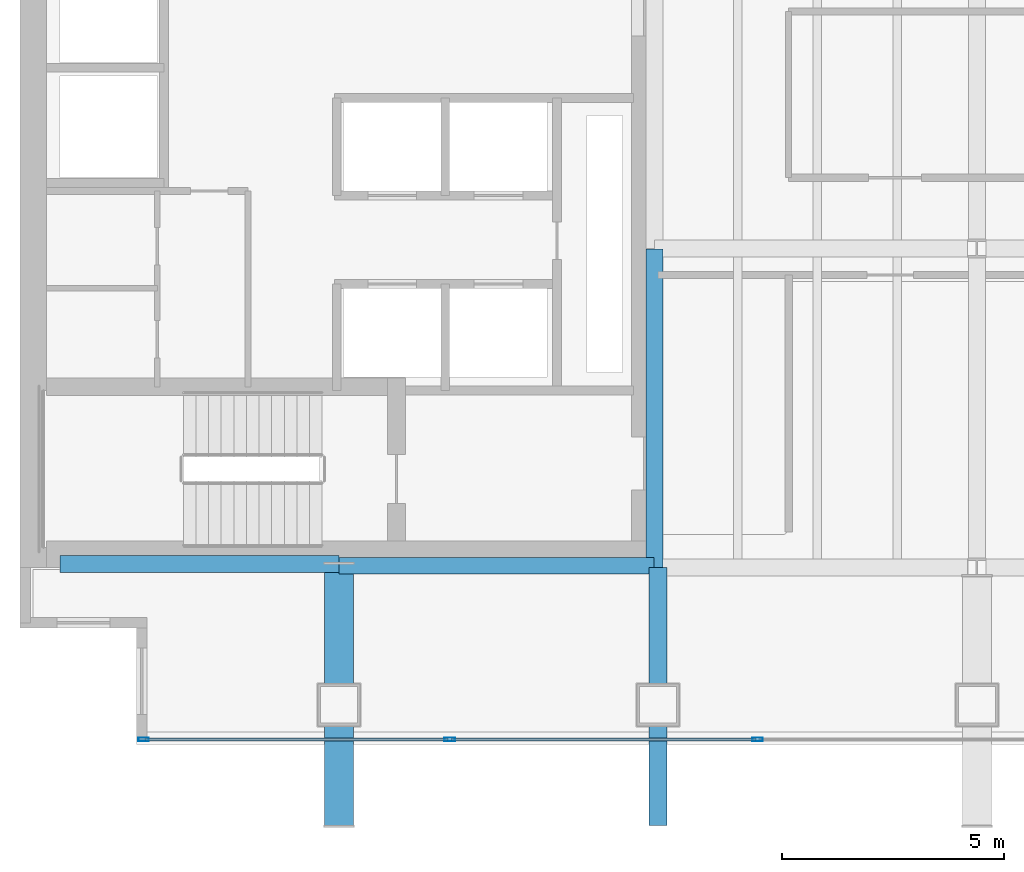
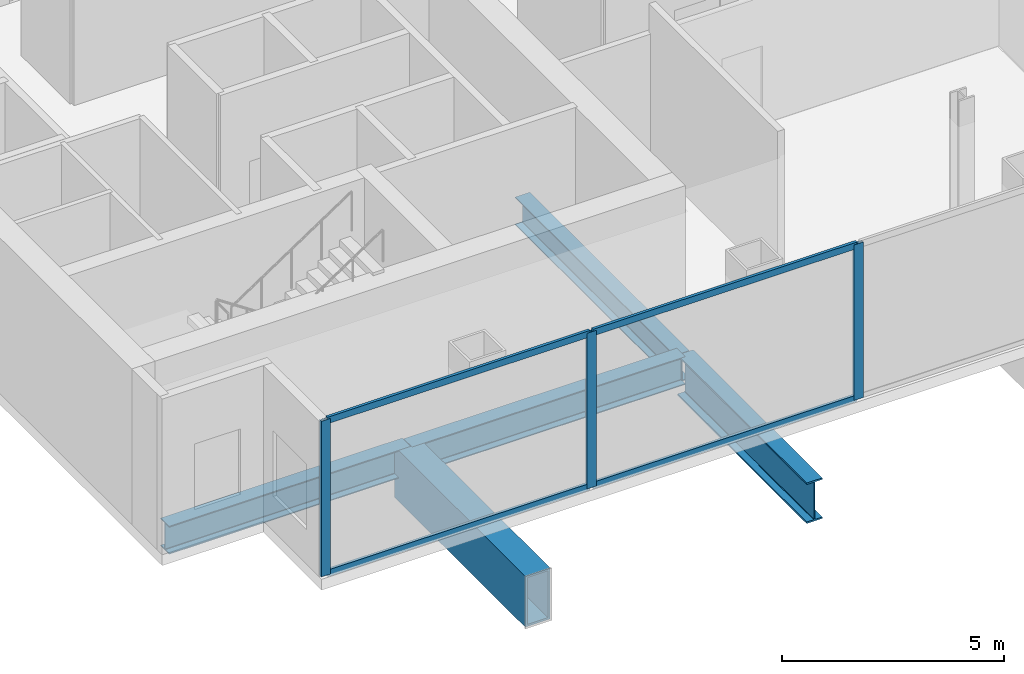
# One storey, part 2 of 16: 7 members, 5 beams, 1 element without a shape of its own.
"""IFC4 building model written with IfcOpenShell, lengths in metres."""

from ifc_helpers import new_model, si_unit, direction, frame, origin, origin_2d, place, context, subcontext, project, spatial, hollow_rectangle, i_section, extrude, material, material_profile, profile_set, type_object, element, aggregate, save


model = new_model("IFC4")

# Units and contexts
model_context = context("Model", 3, precision=1e-05, world=origin(), true_north=direction((0.0, 1.0)))
body_context = subcontext(model_context, "Body", "Model", "MODEL_VIEW")
ifc_project = project(units=[si_unit("LENGTHUNIT", "METRE"), si_unit("AREAUNIT", "SQUARE_METRE"), si_unit("VOLUMEUNIT", "CUBIC_METRE"), si_unit("PLANEANGLEUNIT", "RADIAN"), si_unit("MASSUNIT", "GRAM", prefix="KILO")], contexts=[model_context])

# Site, building, storey
site_placement = place(None, origin())
site = spatial("IfcSite", under=ifc_project, at=site_placement, CompositionType="ELEMENT")
building_placement = place(site_placement, origin())
building = spatial("IfcBuilding", under=site, at=building_placement, Name="Cobrela Telecom Tower", CompositionType="ELEMENT")
storey_placement = place(building_placement, frame((0.0, 0.0, 97.64990234375)))
storey = spatial("IfcBuildingStorey", under=building, at=storey_placement, Name="L24", CompositionType="ELEMENT", Elevation=97.64990234375)

# Beams
ifc_material_1 = material(Name="Steel ASTM A992 Grade 50", Category="steel")
ifc_material_profile_1 = material_profile(ifc_material_1, i_section(OverallWidth=0.381103515625, OverallDepth=0.77197265625, WebThickness=0.0166015625, FlangeThickness=0.027099609375, FilletRadius=0.01904296875, at=origin_2d()), Name="W30X173")
ifc_profile_set_1 = profile_set([ifc_material_profile_1], Name="Steel ASTM A992 Grade 50")
beam_type_1 = type_object("IfcBeamType", Name="BM-GIRD-04", PredefinedType="USERDEFINED", material=ifc_profile_set_1)
beam_1_placement = place(storey_placement, frame((0.905029296875, 7.280029296875, -0.685791015625), z_axis=(1.0, 0.0, 0.0), x_axis=(0.0, 1.0, 0.0)))
element("IfcBeam", 1, at=beam_1_placement, inside=storey, type_object=beam_type_1, Name="L24 Primary Girder X01", ObjectType="GIRDER", PredefinedType="USERDEFINED", context=body_context, shape_type="SweptSolid", body=[
    extrude(i_section(OverallWidth=0.381103515625, OverallDepth=0.77197265625, WebThickness=0.0166015625, FlangeThickness=0.027099609375, FilletRadius=0.01904296875, at=origin_2d()), origin(), (0.0, 0.0, 1.0), 6.2900390625),
])
beam_2_placement = place(storey_placement, frame((7.205078125, 7.239990234375, -0.685791015625), z_axis=(1.0, 0.0, 0.0), x_axis=(0.0, 1.0, 0.0)))
element("IfcBeam", 2, at=beam_2_placement, inside=storey, type_object=beam_type_1, Name="L24 Primary Girder X02", ObjectType="GIRDER", PredefinedType="USERDEFINED", context=body_context, shape_type="SweptSolid", body=[
    extrude(i_section(OverallWidth=0.381103515625, OverallDepth=0.77197265625, WebThickness=0.0166015625, FlangeThickness=0.027099609375, FilletRadius=0.01904296875, at=origin_2d()), origin(), (0.0, 0.0, 1.0), 7.10986328125),
])
beam_3_placement = place(storey_placement, frame((14.320068359375, 7.205078125, -0.685791015625), z_axis=(0.0, 1.0, 0.0), x_axis=(-1.0, 0.0, 0.0)))
element("IfcBeam", 3, at=beam_3_placement, inside=storey, type_object=beam_type_1, Name="L24 Primary Girder Y22", ObjectType="GIRDER", PredefinedType="USERDEFINED", context=body_context, shape_type="SweptSolid", body=[
    extrude(i_section(OverallWidth=0.381103515625, OverallDepth=0.77197265625, WebThickness=0.0166015625, FlangeThickness=0.027099609375, FilletRadius=0.01904296875, at=origin_2d()), origin(), (0.0, 0.0, 1.0), 7.18994140625),
])
ifc_material_2 = material(Name="Steel ASTM A572 Grade 50", Category="steel")
ifc_material_profile_2 = material_profile(ifc_material_2, hollow_rectangle(XDim=0.64990234375, YDim=1.39990234375, WallThickness=0.054931640625, at=origin_2d()), Name="BOX 1400x650x55")
ifc_profile_set_2 = profile_set([ifc_material_profile_2], Name="Steel ASTM A572 Grade 50")
beam_type_2 = type_object("IfcBeamType", Name="BM-TRG-1400", PredefinedType="USERDEFINED", material=ifc_profile_set_2)
beam_4_placement = place(storey_placement, frame((7.199951171875, 1.3798828125, -1.0), z_axis=(0.0, 1.0, 0.0), x_axis=(-1.0, 0.0, 0.0)))
element("IfcBeam", 4, at=beam_4_placement, inside=storey, type_object=beam_type_2, Name="L24 Transfer Girder 01", ObjectType="GIRDER", PredefinedType="USERDEFINED", context=body_context, shape_type="SweptSolid", body=[
    extrude(hollow_rectangle(XDim=0.64990234375, YDim=1.39990234375, WallThickness=0.054931640625, at=origin_2d()), origin(), (0.0, 0.0, 1.0), 5.89501953125),
])
ifc_material_profile_3 = material_profile(ifc_material_1, i_section(OverallWidth=0.404052734375, OverallDepth=1.117919921875, WebThickness=0.02587890625, FlangeThickness=0.044921875, FilletRadius=0.02490234375, at=origin_2d()), Name="W44X335")
ifc_profile_set_3 = profile_set([ifc_material_profile_3], Name="Steel ASTM A992 Grade 50")
beam_type_3 = type_object("IfcBeamType", Name="BM-TRG-W44", PredefinedType="USERDEFINED", material=ifc_profile_set_3)
beam_5_placement = place(storey_placement, frame((14.39990234375, 1.3798828125, -0.85888671875), z_axis=(0.0, 1.0, 0.0), x_axis=(-1.0, 0.0, 0.0)))
element("IfcBeam", 5, at=beam_5_placement, inside=storey, type_object=beam_type_3, Name="L24 Transfer Girder 02", ObjectType="GIRDER", PredefinedType="USERDEFINED", context=body_context, shape_type="SweptSolid", body=[
    extrude(i_section(OverallWidth=0.404052734375, OverallDepth=1.117919921875, WebThickness=0.02587890625, FlangeThickness=0.044921875, FilletRadius=0.02490234375, at=origin_2d()), origin(), (0.0, 0.0, 1.0), 5.815185546875),
])

# Curtain wall, members
ifc_material_3 = material(Name="Anodized Bronze Aluminium 6063-T6", Category="aluminium")
curtain_wall_type = type_object("IfcCurtainWallType", Name="CW-SYS-SKY", PredefinedType="USERDEFINED", material=ifc_material_3)
curtain_wall_placement = place(storey_placement, origin())
curtain_wall = element("IfcCurtainWall", 6, at=curtain_wall_placement, inside=storey, type_object=curtain_wall_type, Name="L24 Unitised Bronze Curtain Wall 17", ObjectType="UNITISED CURTAIN WALL", PredefinedType="USERDEFINED")
ifc_material_profile_4 = material_profile(ifc_material_3, hollow_rectangle(XDim=0.080078125, YDim=0.239990234375, WallThickness=0.0048828125, at=origin_2d()), Name="ALU 80x240x5")
ifc_profile_set_4 = profile_set([ifc_material_profile_4], Name="Anodized Bronze Aluminium 6063-T6")
member_type_1 = type_object("IfcMemberType", Name="CW-SYS-SKY-MUL", PredefinedType="MULLION", material=ifc_profile_set_4)
member_1_placement = place(storey_placement, frame((16.64990234375, 3.320068359375, 0.0), z_axis=(0.0, 0.0, 1.0), x_axis=(0.0, -1.0, 0.0)))
member_1 = element("IfcMember", 7, at=member_1_placement, type_object=member_type_1, Name="CW-SKY mullion 5", PredefinedType="MULLION", context=body_context, shape_type="SweptSolid", body=[
    extrude(hollow_rectangle(XDim=0.080078125, YDim=0.239990234375, WallThickness=0.0048828125, at=origin_2d()), origin(), (0.0, 0.0, 1.0), 4.280029296875),
])
member_2_placement = place(storey_placement, frame((9.699951171875, 3.320068359375, 0.0), z_axis=(0.0, 0.0, 1.0), x_axis=(0.0, -1.0, 0.0)))
member_2 = element("IfcMember", 8, at=member_2_placement, type_object=member_type_1, Name="CW-SKY mullion 6", PredefinedType="MULLION", context=body_context, shape_type="SweptSolid", body=[
    extrude(hollow_rectangle(XDim=0.080078125, YDim=0.239990234375, WallThickness=0.0048828125, at=origin_2d()), origin(), (0.0, 0.0, 1.0), 4.280029296875),
])
member_3_placement = place(storey_placement, frame((2.7900390625, 3.320068359375, 0.0), z_axis=(0.0, 0.0, 1.0), x_axis=(0.0, -1.0, 0.0)))
member_3 = element("IfcMember", 9, at=member_3_placement, type_object=member_type_1, Name="CW-SKY mullion 7", PredefinedType="MULLION", context=body_context, shape_type="SweptSolid", body=[
    extrude(hollow_rectangle(XDim=0.080078125, YDim=0.239990234375, WallThickness=0.0048828125, at=origin_2d()), origin(), (0.0, 0.0, 1.0), 4.280029296875),
])
ifc_material_profile_5 = material_profile(ifc_material_3, hollow_rectangle(XDim=0.074951171875, YDim=0.179931640625, WallThickness=0.00390625, at=origin_2d()), Name="ALU 75x180x4")
ifc_profile_set_5 = profile_set([ifc_material_profile_5], Name="Anodized Bronze Aluminium 6063-T6")
member_type_2 = type_object("IfcMemberType", Name="CW-SYS-SKY-TRN", PredefinedType="USERDEFINED", material=ifc_profile_set_5)
member_4_placement = place(storey_placement, frame((16.610107421875, 3.320068359375, 0.03759765625), z_axis=(-1.0, 0.0, 0.0), x_axis=(0.0, -1.0, 0.0)))
member_4 = element("IfcMember", 10, at=member_4_placement, type_object=member_type_2, Name="CW-SKY transom 5.1", ObjectType="TRANSOM", PredefinedType="USERDEFINED", context=body_context, shape_type="SweptSolid", body=[
    extrude(hollow_rectangle(XDim=0.074951171875, YDim=0.179931640625, WallThickness=0.00390625, at=origin_2d()), origin(), (0.0, 0.0, 1.0), 6.8701171875),
])
member_5_placement = place(storey_placement, frame((16.610107421875, 3.320068359375, 4.24267578125), z_axis=(-1.0, 0.0, 0.0), x_axis=(0.0, -1.0, 0.0)))
member_5 = element("IfcMember", 11, at=member_5_placement, type_object=member_type_2, Name="CW-SKY transom 5.2", ObjectType="TRANSOM", PredefinedType="USERDEFINED", context=body_context, shape_type="SweptSolid", body=[
    extrude(hollow_rectangle(XDim=0.074951171875, YDim=0.179931640625, WallThickness=0.00390625, at=origin_2d()), origin(), (0.0, 0.0, 1.0), 6.8701171875),
])
member_6_placement = place(storey_placement, frame((9.659912109375, 3.320068359375, 0.03759765625), z_axis=(-1.0, 0.0, 0.0), x_axis=(0.0, -1.0, 0.0)))
member_6 = element("IfcMember", 12, at=member_6_placement, type_object=member_type_2, Name="CW-SKY transom 6.1", ObjectType="TRANSOM", PredefinedType="USERDEFINED", context=body_context, shape_type="SweptSolid", body=[
    extrude(hollow_rectangle(XDim=0.074951171875, YDim=0.179931640625, WallThickness=0.00390625, at=origin_2d()), origin(), (0.0, 0.0, 1.0), 6.829833984375),
])
member_7_placement = place(storey_placement, frame((9.659912109375, 3.320068359375, 4.24267578125), z_axis=(-1.0, 0.0, 0.0), x_axis=(0.0, -1.0, 0.0)))
member_7 = element("IfcMember", 13, at=member_7_placement, type_object=member_type_2, Name="CW-SKY transom 6.2", ObjectType="TRANSOM", PredefinedType="USERDEFINED", context=body_context, shape_type="SweptSolid", body=[
    extrude(hollow_rectangle(XDim=0.074951171875, YDim=0.179931640625, WallThickness=0.00390625, at=origin_2d()), origin(), (0.0, 0.0, 1.0), 6.829833984375),
])
aggregate(curtain_wall, [member_1, member_2, member_3, member_4, member_5, member_6, member_7])

save(model, "model.ifc")
